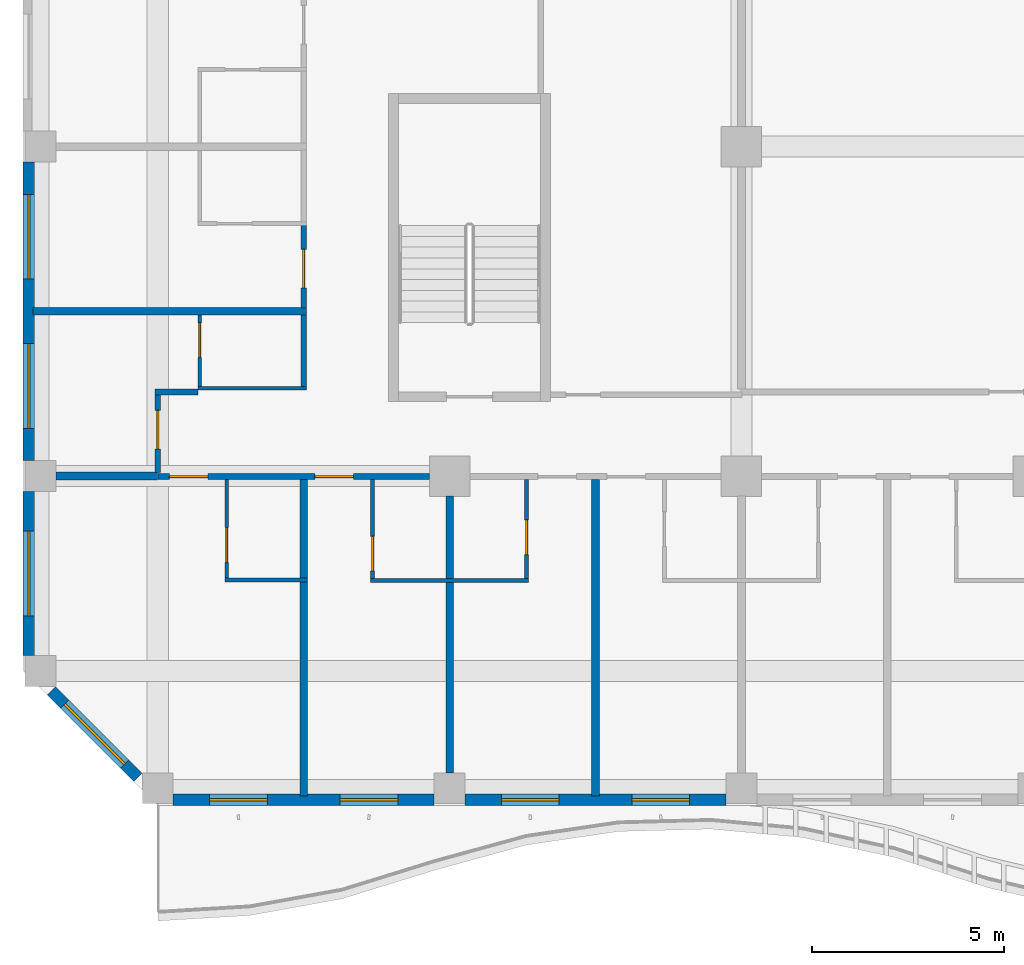
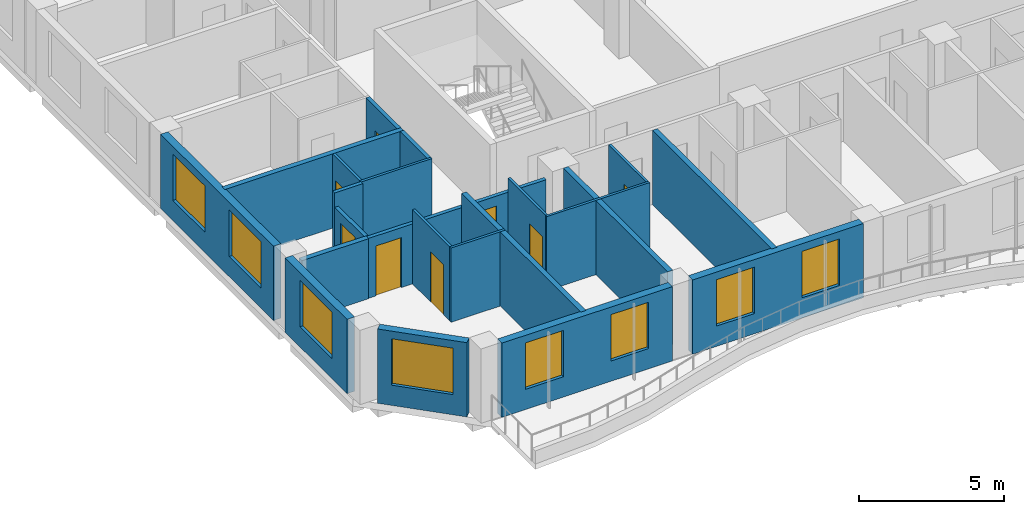
# One storey, part 2 of 22: 24 walls, 8 doors, 8 windows, 16 openings.
"""IFC4 building model written with IfcOpenShell, lengths in metres."""

from ifc_helpers import new_model, si_unit, direction, frame, frame_2d, origin, place, context, subcontext, project, spatial, rectangle, extrude, source, transform, mapped, material, layer, layer_set, type_object, element, fill, save


model = new_model("IFC4")

# Units and contexts
model_context = context("Model", 3, precision=1e-05, world=origin(), true_north=direction((0.0, 1.0)))
body_context = subcontext(model_context, "Body", "Model", "MODEL_VIEW")
ifc_project = project(units=[si_unit("LENGTHUNIT", "METRE"), si_unit("AREAUNIT", "SQUARE_METRE"), si_unit("VOLUMEUNIT", "CUBIC_METRE"), si_unit("PLANEANGLEUNIT", "RADIAN"), si_unit("MASSUNIT", "GRAM", prefix="KILO")], contexts=[model_context])

# Site, building, storey
site_placement = place(None, origin())
site = spatial("IfcSite", under=ifc_project, at=site_placement, CompositionType="ELEMENT")
building_placement = place(site_placement, origin())
building = spatial("IfcBuilding", under=site, at=building_placement, Name="Kilnfold Tower and Market Hall", CompositionType="ELEMENT")
storey_placement = place(building_placement, frame((0.0, 0.0, 171.89990234375)))
storey = spatial("IfcBuildingStorey", under=building, at=storey_placement, Name="L40", CompositionType="ELEMENT", Elevation=171.89990234375)

# Wall, openings, doors
ifc_material_1 = material(Name="Gypsum board on steel studs", Category="steel")
ifc_layer_1 = layer(ifc_material_1, 0.14990234375)
ifc_layer_set_1 = layer_set([ifc_layer_1], Name="Gypsum board on steel studs")
wall_type_1 = type_object("IfcWallType", Name="WALL CORRIDOR 150", PredefinedType="PARTITIONING", material=ifc_layer_set_1)
wall_1_placement = place(storey_placement, frame((-23.75, -17.699951171875, 0.0), z_axis=(0.0, 0.0, 1.0), x_axis=(1.0, 0.0, 0.0)))
wall_1 = element("IfcWall", 1, at=wall_1_placement, inside=storey, type_object=wall_type_1, Name="Partition LY26.1", PredefinedType="PARTITIONING", context=body_context, shape_type="SweptSolid", body=[
    extrude(rectangle(XDim=7.05810546875, YDim=0.14990234375, at=frame_2d((3.529052734375, 0.0))), origin(), (0.0, 0.0, 1.0), 2.52001953125),
])
opening_1_placement = place(wall_1_placement, frame((0.300048828125, 0.0, 0.0)))
opening_1 = element("IfcOpeningElement", 2, at=opening_1_placement, cuts=wall_1, Name="Opening D1", PredefinedType="OPENING", context=body_context, shape_type="SweptSolid", body=[
    extrude(rectangle(XDim=1.0, YDim=2.10009765625, at=frame_2d((0.5, 1.050048828125))), frame((0.0, 0.0849609375, 0.0), z_axis=(0.0, -1.0, 0.0), x_axis=(1.0, 0.0, 0.0)), (0.0, 0.0, 1.0), 0.169921875),
])
opening_2_placement = place(wall_1_placement, frame((4.083984375, 0.0, 0.0)))
opening_2 = element("IfcOpeningElement", 3, at=opening_2_placement, cuts=wall_1, Name="Opening D1", PredefinedType="OPENING", context=body_context, shape_type="SweptSolid", body=[
    extrude(rectangle(XDim=1.0, YDim=2.10009765625, at=frame_2d((0.5, 1.050048828125))), frame((0.0, 0.0849609375, 0.0), z_axis=(0.0, -1.0, 0.0), x_axis=(1.0, 0.0, 0.0)), (0.0, 0.0, 1.0), 0.169921875),
])
ifc_material_2 = material(Name="Timber veneer door leaf in steel frame", Category="steel")
door_type_1 = type_object("IfcDoorType", Name="DOOR ENTRY 1000 X2100", OperationType="NOTDEFINED", PredefinedType="DOOR", material=ifc_material_2)
door_1_placement = place(opening_1_placement, origin())
door_1 = element("IfcDoor", 4, at=door_1_placement, inside=storey, type_object=door_type_1, Name="Door D1", OperationType="SINGLE_SWING_RIGHT", OverallHeight=2.10009765625, OverallWidth=1.0, PredefinedType="DOOR", context=body_context, shape_type="SweptSolid", body=[
    extrude(rectangle(XDim=1.0, YDim=2.10009765625, at=frame_2d((0.5, 1.050048828125))), frame((0.0, 0.02490234375, 0.0), z_axis=(0.0, -1.0, 0.0), x_axis=(1.0, 0.0, 0.0)), (0.0, 0.0, 1.0), 0.050048828125),
])
fill(opening_1, door_1)
door_2_placement = place(opening_2_placement, origin())
door_2 = element("IfcDoor", 5, at=door_2_placement, inside=storey, type_object=door_type_1, Name="Door D1", OperationType="SINGLE_SWING_RIGHT", OverallHeight=2.10009765625, OverallWidth=1.0, PredefinedType="DOOR", context=body_context, shape_type="SweptSolid", body=[
    extrude(rectangle(XDim=1.0, YDim=2.10009765625, at=frame_2d((0.5, 1.050048828125))), frame((0.0, 0.02490234375, 0.0), z_axis=(0.0, -1.0, 0.0), x_axis=(1.0, 0.0, 0.0)), (0.0, 0.0, 1.0), 0.050048828125),
])
fill(opening_2, door_2)

# Wall, opening, door
wall_2_placement = place(storey_placement, frame((-23.75, -15.574951171875, 0.0), z_axis=(0.0, 0.0, 1.0), x_axis=(0.0, -1.0, 0.0)))
wall_2 = element("IfcWall", 6, at=wall_2_placement, inside=storey, type_object=wall_type_1, Name="Partition LY26.7", PredefinedType="PARTITIONING", context=body_context, shape_type="SweptSolid", body=[
    extrude(rectangle(XDim=2.02294921875, YDim=0.14990234375, at=frame_2d((1.011474609375, 0.0))), origin(), (0.0, 0.0, 1.0), 2.52001953125),
])
opening_3_placement = place(wall_2_placement, frame((0.407958984375, 0.0, 0.0)))
opening_3 = element("IfcOpeningElement", 7, at=opening_3_placement, cuts=wall_2, Name="Opening D1", PredefinedType="OPENING", context=body_context, shape_type="SweptSolid", body=[
    extrude(rectangle(XDim=1.0, YDim=2.10009765625, at=frame_2d((0.5, 1.050048828125))), frame((0.0, 0.0849609375, 0.0), z_axis=(0.0, -1.0, 0.0), x_axis=(1.0, 0.0, 0.0)), (0.0, 0.0, 1.0), 0.169921875),
])
door_3_placement = place(opening_3_placement, origin())
door_3 = element("IfcDoor", 8, at=door_3_placement, inside=storey, type_object=door_type_1, Name="Door D1", OperationType="SINGLE_SWING_LEFT", OverallHeight=2.10009765625, OverallWidth=1.0, PredefinedType="DOOR", context=body_context, shape_type="SweptSolid", body=[
    extrude(rectangle(XDim=1.0, YDim=2.10009765625, at=frame_2d((0.5, 1.050048828125))), frame((0.0, 0.02490234375, 0.0), z_axis=(0.0, -1.0, 0.0), x_axis=(1.0, 0.0, 0.0)), (0.0, 0.0, 1.0), 0.050048828125),
])
fill(opening_3, door_3)

# Walls
wall_3_placement = place(storey_placement, frame((-23.824951171875, -15.5, 0.0), z_axis=(0.0, 0.0, 1.0), x_axis=(1.0, 0.0, 0.0)))
element("IfcWall", 9, at=wall_3_placement, inside=storey, type_object=wall_type_1, Name="Partition LY26.8", PredefinedType="PARTITIONING", context=body_context, shape_type="SweptSolid", body=[
    extrude(rectangle(XDim=1.114013671875, YDim=0.14990234375, at=frame_2d((0.55712890625, 0.0))), origin(), (0.0, 0.0, 1.0), 3.1201171875),
])
wall_4_placement = place(storey_placement, frame((-19.958984375, -15.365966796875, 0.0), z_axis=(0.0, 0.0, 1.0), x_axis=(0.0, 1.0, 0.0)))
element("IfcWall", 10, at=wall_4_placement, inside=storey, type_object=wall_type_1, Name="Partition LY26.9", PredefinedType="PARTITIONING", context=body_context, shape_type="SweptSolid", body=[
    extrude(rectangle(XDim=1.869873046875, YDim=0.14990234375, at=frame_2d((0.93505859375, 0.0))), origin(), (0.0, 0.0, 1.0), 3.1201171875),
])

# Wall, opening, door
wall_5_placement = place(storey_placement, frame((-19.958984375, -13.31591796875, 0.0), z_axis=(0.0, 0.0, 1.0), x_axis=(0.0, 1.0, 0.0)))
wall_5 = element("IfcWall", 11, at=wall_5_placement, inside=storey, type_object=wall_type_1, Name="Partition LY26.10", PredefinedType="PARTITIONING", context=body_context, shape_type="SweptSolid", body=[
    extrude(rectangle(XDim=2.15087890625, YDim=0.14990234375, at=frame_2d((1.075439453125, 0.0))), origin(), (0.0, 0.0, 1.0), 3.1201171875),
])
opening_4_placement = place(wall_5_placement, frame((0.52197265625, 0.0, 0.0)))
opening_4 = element("IfcOpeningElement", 12, at=opening_4_placement, cuts=wall_5, Name="Opening D1", PredefinedType="OPENING", context=body_context, shape_type="SweptSolid", body=[
    extrude(rectangle(XDim=1.0, YDim=2.10009765625, at=frame_2d((0.5, 1.050048828125))), frame((0.0, 0.0849609375, 0.0), z_axis=(0.0, -1.0, 0.0), x_axis=(1.0, 0.0, 0.0)), (0.0, 0.0, 1.0), 0.169921875),
])
door_4_placement = place(opening_4_placement, origin())
door_4 = element("IfcDoor", 13, at=door_4_placement, inside=storey, type_object=door_type_1, Name="Door D1", OperationType="SINGLE_SWING_LEFT", OverallHeight=2.10009765625, OverallWidth=1.0, PredefinedType="DOOR", context=body_context, shape_type="SweptSolid", body=[
    extrude(rectangle(XDim=1.0, YDim=2.10009765625, at=frame_2d((0.5, 1.050048828125))), frame((0.0, 0.02490234375, 0.0), z_axis=(0.0, -1.0, 0.0), x_axis=(1.0, 0.0, 0.0)), (0.0, 0.0, 1.0), 0.050048828125),
])
fill(opening_4, door_4)

ifc_material_3 = material(Name="Gypsum board on steel studs", Category="steel")
ifc_layer_2 = layer(ifc_material_3, 0.10009765625)
ifc_layer_set_2 = layer_set([ifc_layer_2], Name="Gypsum board on steel studs")
wall_type_2 = type_object("IfcWallType", Name="WALL PARTITION 100", PredefinedType="PARTITIONING", material=ifc_layer_set_2)
wall_6_placement = place(storey_placement, frame((-21.958984375, -20.337890625, 0.0), z_axis=(0.0, 0.0, 1.0), x_axis=(0.0, 1.0, 0.0)))
wall_6 = element("IfcWall", 14, at=wall_6_placement, inside=storey, type_object=wall_type_2, Name="Partition LY26.50", PredefinedType="PARTITIONING", context=body_context, shape_type="SweptSolid", body=[
    extrude(rectangle(XDim=2.560791015625, YDim=0.10009765625, at=frame_2d((1.2802734375, 0.0))), origin(), (0.0, 0.0, 1.0), 3.1201171875),
])
opening_5_placement = place(wall_6_placement, frame((0.409912109375, 0.0, 0.0)))
opening_5 = element("IfcOpeningElement", 15, at=opening_5_placement, cuts=wall_6, Name="Opening D3", PredefinedType="OPENING", context=body_context, shape_type="SweptSolid", body=[
    extrude(rectangle(XDim=0.89990234375, YDim=2.10009765625, at=frame_2d((0.449951171875, 1.050048828125))), frame((0.0, 0.06005859375, 0.0), z_axis=(0.0, -1.0, 0.0), x_axis=(1.0, 0.0, 0.0)), (0.0, 0.0, 1.0), 0.1201171875),
])
ifc_material_4 = material(Name="Timber veneer door leaf in steel frame", Category="steel")
door_type_2 = type_object("IfcDoorType", Name="DOOR WC 900 X2100", OperationType="NOTDEFINED", PredefinedType="DOOR", material=ifc_material_4)
door_5_placement = place(opening_5_placement, origin())
door_5 = element("IfcDoor", 16, at=door_5_placement, inside=storey, type_object=door_type_2, Name="Door D3", OperationType="SINGLE_SWING_LEFT", OverallHeight=2.10009765625, OverallWidth=0.89990234375, PredefinedType="DOOR", context=body_context, shape_type="SweptSolid", body=[
    extrude(rectangle(XDim=0.89990234375, YDim=2.10009765625, at=frame_2d((0.449951171875, 1.050048828125))), frame((0.0, 0.02490234375, 0.0), z_axis=(0.0, -1.0, 0.0), x_axis=(1.0, 0.0, 0.0)), (0.0, 0.0, 1.0), 0.050048828125),
])
fill(opening_5, door_5)

# Wall
wall_7_placement = place(storey_placement, frame((-22.009033203125, -20.387939453125, 0.0), z_axis=(0.0, 0.0, 1.0), x_axis=(1.0, 0.0, 0.0)))
element("IfcWall", 17, at=wall_7_placement, inside=storey, type_object=wall_type_2, Name="Partition LY26.51", PredefinedType="PARTITIONING", context=body_context, shape_type="SweptSolid", body=[
    extrude(rectangle(XDim=2.150146484375, YDim=0.10009765625, at=frame_2d((1.0751953125, 0.0))), origin(), (0.0, 0.0, 1.0), 3.1201171875),
])

# Wall, opening, door
wall_8_placement = place(storey_placement, frame((-18.1669921875, -20.35205078125, 0.0), z_axis=(0.0, 0.0, 1.0), x_axis=(0.0, 1.0, 0.0)))
wall_8 = element("IfcWall", 18, at=wall_8_placement, inside=storey, type_object=wall_type_2, Name="Partition LY26.55", PredefinedType="PARTITIONING", context=body_context, shape_type="SweptSolid", body=[
    extrude(rectangle(XDim=2.574951171875, YDim=0.10009765625, at=frame_2d((1.28759765625, 0.0))), origin(), (0.0, 0.0, 1.0), 3.1201171875),
])
opening_6_placement = place(wall_8_placement, frame((0.199951171875, 0.0, 0.0)))
opening_6 = element("IfcOpeningElement", 19, at=opening_6_placement, cuts=wall_8, Name="Opening D3", PredefinedType="OPENING", context=body_context, shape_type="SweptSolid", body=[
    extrude(rectangle(XDim=0.89990234375, YDim=2.10009765625, at=frame_2d((0.449951171875, 1.050048828125))), frame((0.0, 0.06005859375, 0.0), z_axis=(0.0, -1.0, 0.0), x_axis=(1.0, 0.0, 0.0)), (0.0, 0.0, 1.0), 0.1201171875),
])
door_6_placement = place(opening_6_placement, origin())
door_6 = element("IfcDoor", 20, at=door_6_placement, inside=storey, type_object=door_type_2, Name="Door D3", OperationType="SINGLE_SWING_LEFT", OverallHeight=2.10009765625, OverallWidth=0.89990234375, PredefinedType="DOOR", context=body_context, shape_type="SweptSolid", body=[
    extrude(rectangle(XDim=0.89990234375, YDim=2.10009765625, at=frame_2d((0.449951171875, 1.050048828125))), frame((0.0, 0.02490234375, 0.0), z_axis=(0.0, -1.0, 0.0), x_axis=(1.0, 0.0, 0.0)), (0.0, 0.0, 1.0), 0.050048828125),
])
fill(opening_6, door_6)

# Wall
wall_9_placement = place(storey_placement, frame((-18.217041015625, -20.402099609375, 0.0), z_axis=(0.0, 0.0, 1.0), x_axis=(1.0, 0.0, 0.0)))
element("IfcWall", 21, at=wall_9_placement, inside=storey, type_object=wall_type_2, Name="Partition LY26.56", PredefinedType="PARTITIONING", context=body_context, shape_type="SweptSolid", body=[
    extrude(rectangle(XDim=4.10009765625, YDim=0.10009765625, at=frame_2d((2.050048828125, 0.0))), origin(), (0.0, 0.0, 1.0), 3.1201171875),
])

# Wall, opening, door
wall_10_placement = place(storey_placement, frame((-14.1669921875, -17.777099609375, 0.0), z_axis=(0.0, 0.0, 1.0), x_axis=(0.0, -1.0, 0.0)))
wall_10 = element("IfcWall", 22, at=wall_10_placement, inside=storey, type_object=wall_type_2, Name="Partition LY26.59", PredefinedType="PARTITIONING", context=body_context, shape_type="SweptSolid", body=[
    extrude(rectangle(XDim=2.574951171875, YDim=0.10009765625, at=frame_2d((1.28759765625, 0.0))), origin(), (0.0, 0.0, 1.0), 3.1201171875),
])
opening_7_placement = place(wall_10_placement, frame((1.050048828125, 0.0, 0.0)))
opening_7 = element("IfcOpeningElement", 23, at=opening_7_placement, cuts=wall_10, Name="Opening D3", PredefinedType="OPENING", context=body_context, shape_type="SweptSolid", body=[
    extrude(rectangle(XDim=0.89990234375, YDim=2.10009765625, at=frame_2d((0.449951171875, 1.050048828125))), frame((0.0, 0.06005859375, 0.0), z_axis=(0.0, -1.0, 0.0), x_axis=(1.0, 0.0, 0.0)), (0.0, 0.0, 1.0), 0.1201171875),
])
door_7_placement = place(opening_7_placement, origin())
door_7 = element("IfcDoor", 24, at=door_7_placement, inside=storey, type_object=door_type_2, Name="Door D3", OperationType="SINGLE_SWING_LEFT", OverallHeight=2.10009765625, OverallWidth=0.89990234375, PredefinedType="DOOR", context=body_context, shape_type="SweptSolid", body=[
    extrude(rectangle(XDim=0.89990234375, YDim=2.10009765625, at=frame_2d((0.449951171875, 1.050048828125))), frame((0.0, 0.02490234375, 0.0), z_axis=(0.0, -1.0, 0.0), x_axis=(1.0, 0.0, 0.0)), (0.0, 0.0, 1.0), 0.050048828125),
])
fill(opening_7, door_7)

# Wall
wall_11_placement = place(storey_placement, frame((-19.885986328125, -15.406005859375, 0.0), z_axis=(0.0, 0.0, 1.0), x_axis=(-1.0, 0.0, 0.0)))
element("IfcWall", 25, at=wall_11_placement, inside=storey, type_object=wall_type_2, Name="Partition LY26.89", PredefinedType="PARTITIONING", context=body_context, shape_type="SweptSolid", body=[
    extrude(rectangle(XDim=2.824951171875, YDim=0.10009765625, at=frame_2d((1.41259765625, 0.0))), origin(), (0.0, 0.0, 1.0), 3.1201171875),
])

# Wall, opening, door
wall_12_placement = place(storey_placement, frame((-22.660888671875, -15.35595703125, 0.0), z_axis=(0.0, 0.0, 1.0), x_axis=(0.0, 1.0, 0.0)))
wall_12 = element("IfcWall", 26, at=wall_12_placement, inside=storey, type_object=wall_type_2, Name="Partition LY26.90", PredefinedType="PARTITIONING", context=body_context, shape_type="SweptSolid", body=[
    extrude(rectangle(XDim=1.849853515625, YDim=0.10009765625, at=frame_2d((0.9248046875, 0.0))), origin(), (0.0, 0.0, 1.0), 3.1201171875),
])
opening_8_placement = place(wall_12_placement, frame((0.75, 0.0, 0.0)))
opening_8 = element("IfcOpeningElement", 27, at=opening_8_placement, cuts=wall_12, Name="Opening D3", PredefinedType="OPENING", context=body_context, shape_type="SweptSolid", body=[
    extrude(rectangle(XDim=0.89990234375, YDim=2.10009765625, at=frame_2d((0.449951171875, 1.050048828125))), frame((0.0, 0.06005859375, 0.0), z_axis=(0.0, -1.0, 0.0), x_axis=(1.0, 0.0, 0.0)), (0.0, 0.0, 1.0), 0.1201171875),
])
door_8_placement = place(opening_8_placement, origin())
door_8 = element("IfcDoor", 28, at=door_8_placement, inside=storey, type_object=door_type_2, Name="Door D3", OperationType="SINGLE_SWING_RIGHT", OverallHeight=2.10009765625, OverallWidth=0.89990234375, PredefinedType="DOOR", context=body_context, shape_type="SweptSolid", body=[
    extrude(rectangle(XDim=0.89990234375, YDim=2.10009765625, at=frame_2d((0.449951171875, 1.050048828125))), frame((0.0, 0.02490234375, 0.0), z_axis=(0.0, -1.0, 0.0), x_axis=(1.0, 0.0, 0.0)), (0.0, 0.0, 1.0), 0.050048828125),
])
fill(opening_8, door_8)

# Walls
ifc_material_5 = material(Name="Gypsum board on steel studs", Category="steel")
ifc_layer_3 = layer(ifc_material_5, 0.199951171875)
ifc_layer_set_3 = layer_set([ifc_layer_3], Name="Gypsum board on steel studs")
wall_type_3 = type_object("IfcWallType", Name="WALL PARTY 200", PredefinedType="PARTITIONING", material=ifc_layer_set_3)
wall_13_placement = place(storey_placement, frame((-19.958984375, -26.0, 0.0), z_axis=(0.0, 0.0, 1.0), x_axis=(0.0, 1.0, 0.0)))
element("IfcWall", 29, at=wall_13_placement, inside=storey, type_object=wall_type_3, Name="Partition LY26.52", PredefinedType="PARTITIONING", context=body_context, shape_type="SweptSolid", body=[
    extrude(rectangle(XDim=5.56201171875, YDim=0.199951171875, at=frame_2d((2.781005859375, 0.0))), origin(), (0.0, 0.0, 1.0), 3.1201171875),
])
wall_14_placement = place(storey_placement, frame((-26.39990234375, -17.68798828125, 0.0), z_axis=(0.0, 0.0, 1.0), x_axis=(1.0, 0.0, 0.0)))
element("IfcWall", 30, at=wall_14_placement, inside=storey, type_object=wall_type_3, Name="Partition LY26.53", PredefinedType="PARTITIONING", context=body_context, shape_type="SweptSolid", body=[
    extrude(rectangle(XDim=2.64794921875, YDim=0.199951171875, at=frame_2d((1.323974609375, 0.0))), origin(), (0.0, 0.0, 1.0), 2.52001953125),
])
wall_15_placement = place(storey_placement, frame((-19.958984375, -20.337890625, 0.0), z_axis=(0.0, 0.0, 1.0), x_axis=(0.0, 1.0, 0.0)))
element("IfcWall", 31, at=wall_15_placement, inside=storey, type_object=wall_type_3, Name="Partition LY26.54", PredefinedType="PARTITIONING", context=body_context, shape_type="SweptSolid", body=[
    extrude(rectangle(XDim=2.560791015625, YDim=0.199951171875, at=frame_2d((1.2802734375, 0.0))), origin(), (0.0, 0.0, 1.0), 3.1201171875),
])
wall_16_placement = place(storey_placement, frame((-16.1669921875, -25.39990234375, 0.0), z_axis=(0.0, 0.0, 1.0), x_axis=(0.0, 1.0, 0.0)))
element("IfcWall", 32, at=wall_16_placement, inside=storey, type_object=wall_type_3, Name="Partition LY26.57", PredefinedType="PARTITIONING", context=body_context, shape_type="SweptSolid", body=[
    extrude(rectangle(XDim=4.947998046875, YDim=0.199951171875, at=frame_2d((2.47412109375, 0.0))), origin(), (0.0, 0.0, 1.0), 3.1201171875),
])
wall_17_placement = place(storey_placement, frame((-16.1669921875, -20.35205078125, 0.0), z_axis=(0.0, 0.0, 1.0), x_axis=(0.0, 1.0, 0.0)))
element("IfcWall", 33, at=wall_17_placement, inside=storey, type_object=wall_type_3, Name="Partition LY26.58", PredefinedType="PARTITIONING", context=body_context, shape_type="SweptSolid", body=[
    extrude(rectangle(XDim=2.14013671875, YDim=0.199951171875, at=frame_2d((1.070068359375, 0.0))), origin(), (0.0, 0.0, 1.0), 3.1201171875),
])
wall_18_placement = place(storey_placement, frame((-12.375, -26.0, 0.0), z_axis=(0.0, 0.0, 1.0), x_axis=(0.0, 1.0, 0.0)))
element("IfcWall", 34, at=wall_18_placement, inside=storey, type_object=wall_type_3, Name="Partition LY26.60", PredefinedType="PARTITIONING", context=body_context, shape_type="SweptSolid", body=[
    extrude(rectangle(XDim=8.222900390625, YDim=0.199951171875, at=frame_2d((4.111328125, 0.0))), origin(), (0.0, 0.0, 1.0), 3.1201171875),
])
wall_19_placement = place(storey_placement, frame((-27.0, -13.406005859375, 0.0), z_axis=(0.0, 0.0, 1.0), x_axis=(1.0, 0.0, 0.0)))
element("IfcWall", 35, at=wall_19_placement, inside=storey, type_object=wall_type_3, Name="Partition LY26.91", PredefinedType="PARTITIONING", context=body_context, shape_type="SweptSolid", body=[
    extrude(rectangle(XDim=7.114013671875, YDim=0.199951171875, at=frame_2d((3.55712890625, 0.0))), origin(), (0.0, 0.0, 1.0), 3.1201171875),
])

# Wall, openings, windows
ifc_material_6 = material(Name="Precast concrete C50/60", Category="concrete")
ifc_layer_4 = layer(ifc_material_6, 0.300048828125)
ifc_layer_set_4 = layer_set([ifc_layer_4], Name="Precast concrete C50/60")
wall_type_4 = type_object("IfcWallType", Name="PRECAST WALL 300", PredefinedType="SOLIDWALL", material=ifc_layer_set_4)
shared_shape_1 = source(origin(), body_context, "Body", "SweptSolid", [
    extrude(rectangle(XDim=6.783447265625, YDim=0.300048828125, at=frame_2d((3.3916015625, 0.0))), origin(), (0.0, 0.0, 1.0), 3.1201171875),
])
wall_20_placement = place(storey_placement, frame((-23.35009765625, -26.10009765625, 0.0), z_axis=(0.0, 0.0, 1.0), x_axis=(1.0, 0.0, 0.0)))
wall_20 = element("IfcWall", 36, at=wall_20_placement, inside=storey, type_object=wall_type_4, Name="External wall L40 S", PredefinedType="SOLIDWALL", context=body_context, shape_type="MappedRepresentation", body=[
    mapped(shared_shape_1, transform((0.0, 0.0, 0.0))),
])
opening_9_placement = place(wall_20_placement, frame((0.94580078125, 0.0, 0.85009765625)))
opening_9 = element("IfcOpeningElement", 37, at=opening_9_placement, cuts=wall_20, Name="Opening W4", PredefinedType="OPENING", context=body_context, shape_type="SweptSolid", body=[
    extrude(rectangle(XDim=1.5, YDim=1.949951171875, at=frame_2d((0.75, 0.97509765625))), frame((0.0, 0.16015625, 0.0), z_axis=(0.0, -1.0, 0.0), x_axis=(1.0, 0.0, 0.0)), (0.0, 0.0, 1.0), 0.320068359375),
])
opening_10_placement = place(wall_20_placement, frame((4.33740234375, 0.0, 0.85009765625)))
opening_10 = element("IfcOpeningElement", 38, at=opening_10_placement, cuts=wall_20, Name="Opening W4", PredefinedType="OPENING", context=body_context, shape_type="SweptSolid", body=[
    extrude(rectangle(XDim=1.5, YDim=1.949951171875, at=frame_2d((0.75, 0.97509765625))), frame((0.0, 0.16015625, 0.0), z_axis=(0.0, -1.0, 0.0), x_axis=(1.0, 0.0, 0.0)), (0.0, 0.0, 1.0), 0.320068359375),
])
ifc_material_7 = material(Name="Aluminium frame and double glazing", Category="aluminium")
window_type_1 = type_object("IfcWindowType", Name="WINDOW W4 1500X1950", PartitioningType="SINGLE_PANEL", PredefinedType="WINDOW", material=ifc_material_7)
window_1_placement = place(opening_9_placement, origin())
window_1 = element("IfcWindow", 39, at=window_1_placement, inside=storey, type_object=window_type_1, Name="Window W4 L40 S-1", OverallHeight=1.949951171875, OverallWidth=1.5, PartitioningType="SINGLE_PANEL", PredefinedType="WINDOW", context=body_context, shape_type="SweptSolid", body=[
    extrude(rectangle(XDim=1.5, YDim=1.949951171875, at=frame_2d((0.75, 0.97509765625))), frame((0.0, 0.030029296875, 0.0), z_axis=(0.0, -1.0, 0.0), x_axis=(1.0, 0.0, 0.0)), (0.0, 0.0, 1.0), 0.06005859375),
])
fill(opening_9, window_1)
window_2_placement = place(opening_10_placement, origin())
window_2 = element("IfcWindow", 40, at=window_2_placement, inside=storey, type_object=window_type_1, Name="Window W4 L40 S-2", OverallHeight=1.949951171875, OverallWidth=1.5, PartitioningType="SINGLE_PANEL", PredefinedType="WINDOW", context=body_context, shape_type="SweptSolid", body=[
    extrude(rectangle(XDim=1.5, YDim=1.949951171875, at=frame_2d((0.75, 0.97509765625))), frame((0.0, 0.030029296875, 0.0), z_axis=(0.0, -1.0, 0.0), x_axis=(1.0, 0.0, 0.0)), (0.0, 0.0, 1.0), 0.06005859375),
])
fill(opening_10, window_2)

shared_shape_2 = source(origin(), body_context, "Body", "SweptSolid", [
    extrude(rectangle(XDim=6.783203125, YDim=0.300048828125, at=frame_2d((3.3916015625, 0.0))), origin(), (0.0, 0.0, 1.0), 3.1201171875),
])
wall_21_placement = place(storey_placement, frame((-15.7666015625, -26.10009765625, 0.0), z_axis=(0.0, 0.0, 1.0), x_axis=(1.0, 0.0, 0.0)))
wall_21 = element("IfcWall", 41, at=wall_21_placement, inside=storey, type_object=wall_type_4, Name="External wall L40 S", PredefinedType="SOLIDWALL", context=body_context, shape_type="MappedRepresentation", body=[
    mapped(shared_shape_2, transform((0.0, 0.0, 0.0))),
])
opening_11_placement = place(wall_21_placement, frame((0.94580078125, 0.0, 0.85009765625)))
opening_11 = element("IfcOpeningElement", 42, at=opening_11_placement, cuts=wall_21, Name="Opening W4", PredefinedType="OPENING", context=body_context, shape_type="SweptSolid", body=[
    extrude(rectangle(XDim=1.5, YDim=1.949951171875, at=frame_2d((0.75, 0.97509765625))), frame((0.0, 0.16015625, 0.0), z_axis=(0.0, -1.0, 0.0), x_axis=(1.0, 0.0, 0.0)), (0.0, 0.0, 1.0), 0.320068359375),
])
opening_12_placement = place(wall_21_placement, frame((4.337646484375, 0.0, 0.85009765625)))
opening_12 = element("IfcOpeningElement", 43, at=opening_12_placement, cuts=wall_21, Name="Opening W4", PredefinedType="OPENING", context=body_context, shape_type="SweptSolid", body=[
    extrude(rectangle(XDim=1.5, YDim=1.949951171875, at=frame_2d((0.75, 0.97509765625))), frame((0.0, 0.16015625, 0.0), z_axis=(0.0, -1.0, 0.0), x_axis=(1.0, 0.0, 0.0)), (0.0, 0.0, 1.0), 0.320068359375),
])
window_3_placement = place(opening_11_placement, origin())
window_3 = element("IfcWindow", 44, at=window_3_placement, inside=storey, type_object=window_type_1, Name="Window W4 L40 S-1", OverallHeight=1.949951171875, OverallWidth=1.5, PartitioningType="SINGLE_PANEL", PredefinedType="WINDOW", context=body_context, shape_type="SweptSolid", body=[
    extrude(rectangle(XDim=1.5, YDim=1.949951171875, at=frame_2d((0.75, 0.97509765625))), frame((0.0, 0.030029296875, 0.0), z_axis=(0.0, -1.0, 0.0), x_axis=(1.0, 0.0, 0.0)), (0.0, 0.0, 1.0), 0.06005859375),
])
fill(opening_11, window_3)
window_4_placement = place(opening_12_placement, origin())
window_4 = element("IfcWindow", 45, at=window_4_placement, inside=storey, type_object=window_type_1, Name="Window W4 L40 S-2", OverallHeight=1.949951171875, OverallWidth=1.5, PartitioningType="SINGLE_PANEL", PredefinedType="WINDOW", context=body_context, shape_type="SweptSolid", body=[
    extrude(rectangle(XDim=1.5, YDim=1.949951171875, at=frame_2d((0.75, 0.97509765625))), frame((0.0, 0.030029296875, 0.0), z_axis=(0.0, -1.0, 0.0), x_axis=(1.0, 0.0, 0.0)), (0.0, 0.0, 1.0), 0.06005859375),
])
fill(opening_12, window_4)

# Wall, opening, window
shared_shape_3 = source(origin(), body_context, "Body", "SweptSolid", [
    extrude(rectangle(XDim=3.18212890625, YDim=0.300048828125, at=frame_2d((1.591064453125, 0.0))), origin(), (0.0, 0.0, 1.0), 3.1201171875),
])
wall_22_placement = place(storey_placement, frame((-26.518798828125, -23.268798828125, 0.0), z_axis=(0.0, 0.0, 1.0), x_axis=(0.707068419229, -0.707145141063, 0.0)))
wall_22 = element("IfcWall", 46, at=wall_22_placement, inside=storey, type_object=wall_type_4, Name="External wall L40 SW", PredefinedType="SOLIDWALL", context=body_context, shape_type="MappedRepresentation", body=[
    mapped(shared_shape_3, transform((0.0, 0.0, 0.0))),
])
opening_13_placement = place(wall_22_placement, frame((0.490966796875, 0.0, 0.85009765625)))
opening_13 = element("IfcOpeningElement", 47, at=opening_13_placement, cuts=wall_22, Name="Opening W2", PredefinedType="OPENING", context=body_context, shape_type="SweptSolid", body=[
    extrude(rectangle(XDim=2.199951171875, YDim=1.949951171875, at=frame_2d((1.10009765625, 0.97509765625))), frame((0.0, 0.16015625, 0.0), z_axis=(0.0, -1.0, 0.0), x_axis=(1.0, 0.0, 0.0)), (0.0, 0.0, 1.0), 0.320068359375),
])
ifc_material_8 = material(Name="Aluminium frame and double glazing", Category="aluminium")
window_type_2 = type_object("IfcWindowType", Name="WINDOW W2 2200X1950", PartitioningType="SINGLE_PANEL", PredefinedType="WINDOW", material=ifc_material_8)
window_5_placement = place(opening_13_placement, origin())
window_5 = element("IfcWindow", 48, at=window_5_placement, inside=storey, type_object=window_type_2, Name="Window W2 L40 SW-1", OverallHeight=1.949951171875, OverallWidth=2.199951171875, PartitioningType="SINGLE_PANEL", PredefinedType="WINDOW", context=body_context, shape_type="SweptSolid", body=[
    extrude(rectangle(XDim=2.199951171875, YDim=1.949951171875, at=frame_2d((1.10009765625, 0.97509765625))), frame((0.0, 0.030029296875, 0.0), z_axis=(0.0, -1.0, 0.0), x_axis=(1.0, 0.0, 0.0)), (0.0, 0.0, 1.0), 0.06005859375),
])
fill(opening_13, window_5)

# Wall, openings, windows
shared_shape_4 = source(origin(), body_context, "Body", "SweptSolid", [
    extrude(rectangle(XDim=7.7626953125, YDim=0.300048828125, at=frame_2d((3.88134765625, 0.0))), origin(), (0.0, 0.0, 1.0), 3.1201171875),
])
wall_23_placement = place(storey_placement, frame((-27.10009765625, -9.52490234375, 0.0), z_axis=(0.0, 0.0, 1.0), x_axis=(0.0, -1.0, 0.0)))
wall_23 = element("IfcWall", 49, at=wall_23_placement, inside=storey, type_object=wall_type_4, Name="External wall L40 W", PredefinedType="SOLIDWALL", context=body_context, shape_type="MappedRepresentation", body=[
    mapped(shared_shape_4, transform((0.0, 0.0, 0.0))),
])
opening_14_placement = place(wall_23_placement, frame((0.840576171875, 0.0, 0.85009765625)))
opening_14 = element("IfcOpeningElement", 50, at=opening_14_placement, cuts=wall_23, Name="Opening W2", PredefinedType="OPENING", context=body_context, shape_type="SweptSolid", body=[
    extrude(rectangle(XDim=2.199951171875, YDim=1.949951171875, at=frame_2d((1.10009765625, 0.97509765625))), frame((0.0, 0.16015625, 0.0), z_axis=(0.0, -1.0, 0.0), x_axis=(1.0, 0.0, 0.0)), (0.0, 0.0, 1.0), 0.320068359375),
])
opening_15_placement = place(wall_23_placement, frame((4.721923828125, 0.0, 0.85009765625)))
opening_15 = element("IfcOpeningElement", 51, at=opening_15_placement, cuts=wall_23, Name="Opening W2", PredefinedType="OPENING", context=body_context, shape_type="SweptSolid", body=[
    extrude(rectangle(XDim=2.199951171875, YDim=1.949951171875, at=frame_2d((1.10009765625, 0.97509765625))), frame((0.0, 0.16015625, 0.0), z_axis=(0.0, -1.0, 0.0), x_axis=(1.0, 0.0, 0.0)), (0.0, 0.0, 1.0), 0.320068359375),
])
window_6_placement = place(opening_14_placement, origin())
window_6 = element("IfcWindow", 52, at=window_6_placement, inside=storey, type_object=window_type_2, Name="Window W2 L40 W-1", OverallHeight=1.949951171875, OverallWidth=2.199951171875, PartitioningType="SINGLE_PANEL", PredefinedType="WINDOW", context=body_context, shape_type="SweptSolid", body=[
    extrude(rectangle(XDim=2.199951171875, YDim=1.949951171875, at=frame_2d((1.10009765625, 0.97509765625))), frame((0.0, 0.030029296875, 0.0), z_axis=(0.0, -1.0, 0.0), x_axis=(1.0, 0.0, 0.0)), (0.0, 0.0, 1.0), 0.06005859375),
])
fill(opening_14, window_6)
window_7_placement = place(opening_15_placement, origin())
window_7 = element("IfcWindow", 53, at=window_7_placement, inside=storey, type_object=window_type_2, Name="Window W2 L40 W-2", OverallHeight=1.949951171875, OverallWidth=2.199951171875, PartitioningType="SINGLE_PANEL", PredefinedType="WINDOW", context=body_context, shape_type="SweptSolid", body=[
    extrude(rectangle(XDim=2.199951171875, YDim=1.949951171875, at=frame_2d((1.10009765625, 0.97509765625))), frame((0.0, 0.030029296875, 0.0), z_axis=(0.0, -1.0, 0.0), x_axis=(1.0, 0.0, 0.0)), (0.0, 0.0, 1.0), 0.06005859375),
])
fill(opening_15, window_7)

# Wall, opening, window
shared_shape_5 = source(origin(), body_context, "Body", "SweptSolid", [
    extrude(rectangle(XDim=4.2626953125, YDim=0.300048828125, at=frame_2d((2.13134765625, 0.0))), origin(), (0.0, 0.0, 1.0), 3.1201171875),
])
wall_24_placement = place(storey_placement, frame((-27.10009765625, -18.08740234375, 0.0), z_axis=(0.0, 0.0, 1.0), x_axis=(0.0, -1.0, 0.0)))
wall_24 = element("IfcWall", 54, at=wall_24_placement, inside=storey, type_object=wall_type_4, Name="External wall L40 W", PredefinedType="SOLIDWALL", context=body_context, shape_type="MappedRepresentation", body=[
    mapped(shared_shape_5, transform((0.0, 0.0, 0.0))),
])
opening_16_placement = place(wall_24_placement, frame((1.03125, 0.0, 0.85009765625)))
opening_16 = element("IfcOpeningElement", 55, at=opening_16_placement, cuts=wall_24, Name="Opening W2", PredefinedType="OPENING", context=body_context, shape_type="SweptSolid", body=[
    extrude(rectangle(XDim=2.199951171875, YDim=1.949951171875, at=frame_2d((1.10009765625, 0.97509765625))), frame((0.0, 0.16015625, 0.0), z_axis=(0.0, -1.0, 0.0), x_axis=(1.0, 0.0, 0.0)), (0.0, 0.0, 1.0), 0.320068359375),
])
window_8_placement = place(opening_16_placement, origin())
window_8 = element("IfcWindow", 56, at=window_8_placement, inside=storey, type_object=window_type_2, Name="Window W2 L40 W-1", OverallHeight=1.949951171875, OverallWidth=2.199951171875, PartitioningType="SINGLE_PANEL", PredefinedType="WINDOW", context=body_context, shape_type="SweptSolid", body=[
    extrude(rectangle(XDim=2.199951171875, YDim=1.949951171875, at=frame_2d((1.10009765625, 0.97509765625))), frame((0.0, 0.030029296875, 0.0), z_axis=(0.0, -1.0, 0.0), x_axis=(1.0, 0.0, 0.0)), (0.0, 0.0, 1.0), 0.06005859375),
])
fill(opening_16, window_8)

save(model, "model.ifc")
